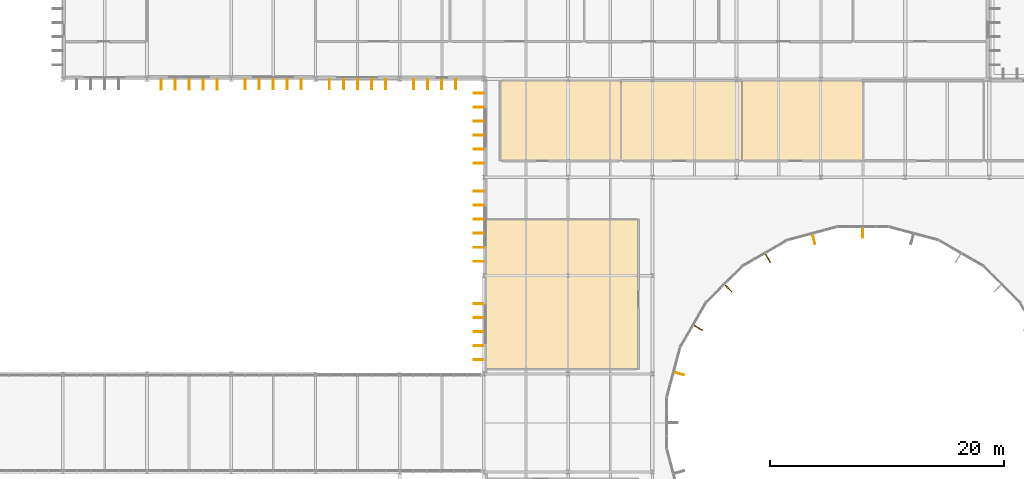
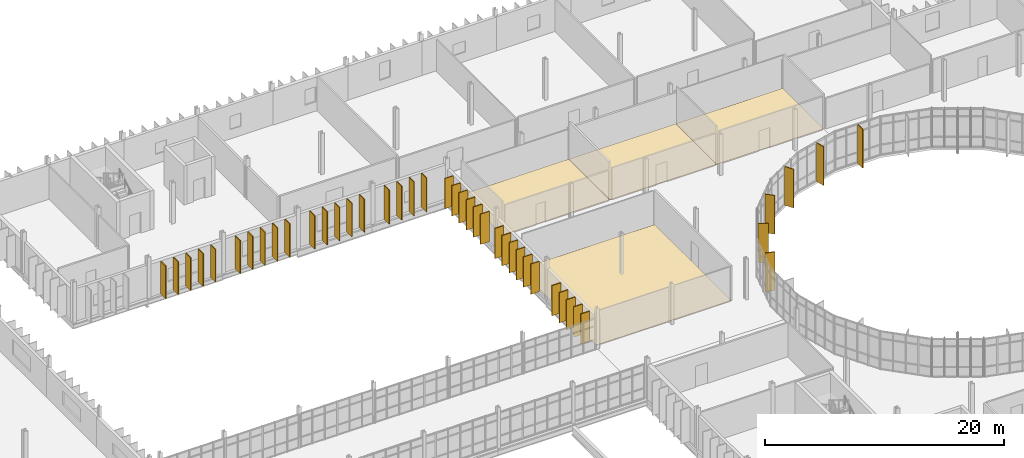
# One storey, part 114 of 119: 42 shading devices, 4 coverings.
"""IFC4 building model written with IfcOpenShell, lengths in metres."""

from ifc_helpers import new_model, si_unit, direction, frame, origin, origin_2d, place, context, subcontext, project, spatial, polyline, rectangle, outline, extrude, material, layer, layer_set, type_object, element, save


model = new_model("IFC4")

# Units and contexts
model_context = context("Model", 3, precision=1e-05, world=origin(), true_north=direction((0.0, 1.0)))
body_context = subcontext(model_context, "Body", "Model", "MODEL_VIEW")
ifc_project = project(units=[si_unit("LENGTHUNIT", "METRE"), si_unit("AREAUNIT", "SQUARE_METRE"), si_unit("VOLUMEUNIT", "CUBIC_METRE"), si_unit("PLANEANGLEUNIT", "RADIAN"), si_unit("MASSUNIT", "GRAM", prefix="KILO")], contexts=[model_context])

# Site, building, storey
site_placement = place(None, origin())
site = spatial("IfcSite", under=ifc_project, at=site_placement, CompositionType="ELEMENT")
building_placement = place(site_placement, origin())
building = spatial("IfcBuilding", under=site, at=building_placement, Name="Qelthora Terrace Specialist Clinic", CompositionType="ELEMENT")
storey_placement = place(building_placement, frame((0.0, 0.0, 4.800048828125)))
storey = spatial("IfcBuildingStorey", under=building, at=storey_placement, Name="L01", CompositionType="ELEMENT", Elevation=4.800048828125)

# Coverings
ifc_material_1 = material(Name="Antimicrobial clinical linoleum flooring", Category="other")
ifc_layer = layer(ifc_material_1, 0.011962890625)
ifc_layer_set = layer_set([ifc_layer], Name="Antimicrobial clinical linoleum flooring")
covering_type = type_object("IfcCoveringType", Name="COV-FLR-LINO-12", PredefinedType="FLOORING", material=ifc_layer_set)
covering_1_placement = place(storey_placement, origin())
element("IfcCovering", 1, at=covering_1_placement, inside=storey, type_object=covering_type, Name="Neurology Examination Suite L01-36 resilient linoleum flooring", PredefinedType="FLOORING", context=body_context, shape_type="SweptSolid", body=[
    extrude(outline(polyline([(95.0, 85.39990234375), (95.0, 92.25), (105.333251953125, 92.25), (105.333251953125, 85.39990234375), (95.0, 85.39990234375)])), origin(), (0.0, 0.0, 1.0), 0.011962890625),
])
covering_2_placement = place(storey_placement, origin())
element("IfcCovering", 2, at=covering_2_placement, inside=storey, type_object=covering_type, Name="EMG and EEG Diagnostics L01-37 resilient linoleum flooring", PredefinedType="FLOORING", context=body_context, shape_type="SweptSolid", body=[
    extrude(outline(polyline([(105.33837890625, 85.39990234375), (105.33837890625, 92.25), (115.666748046875, 92.25), (115.666748046875, 85.39990234375), (105.33837890625, 85.39990234375)])), origin(), (0.0, 0.0, 1.0), 0.011962890625),
])
covering_3_placement = place(storey_placement, origin())
element("IfcCovering", 3, at=covering_3_placement, inside=storey, type_object=covering_type, Name="High-Altitude Pulmonary Lab L01-38 resilient linoleum flooring", PredefinedType="FLOORING", context=body_context, shape_type="SweptSolid", body=[
    extrude(outline(polyline([(115.671630859375, 85.39990234375), (115.671630859375, 92.25), (126.0, 92.25), (126.0, 85.39990234375), (115.671630859375, 85.39990234375)])), origin(), (0.0, 0.0, 1.0), 0.011962890625),
])
covering_4_placement = place(storey_placement, origin())
element("IfcCovering", 4, at=covering_4_placement, inside=storey, type_object=covering_type, Name="Neurology Consulting West Wing L01-41 resilient linoleum flooring", PredefinedType="FLOORING", context=body_context, shape_type="SweptSolid", body=[
    extrude(outline(polyline([(106.800048828125, 80.39990234375), (106.800048828125, 67.60009765625), (93.72998046875, 67.60009765625), (93.72998046875, 80.39990234375), (106.800048828125, 80.39990234375)])), origin(), (0.0, 0.0, 1.0), 0.011962890625),
])

# Shading devices
ifc_material_2 = material(Name="Glulam timber GL28h", Category="wood")
shading_device_type = type_object("IfcShadingDeviceType", Name="SHD-FIN-850", PredefinedType="USERDEFINED", material=ifc_material_2)
for number, where, z_axis, x_axis, name in (
    (5, (126.0, 79.26123046875, 0.0), (0.0, 0.0, 1.0), (0.0, -1.0, 0.0), "Court solar fin FIN-0028"),
    (6, (121.791259765625, 78.707275390625, 0.0), (0.0, 0.0, 1.0), (0.258819045103, -0.965925826289, 0.0), "Court solar fin FIN-0029"),
    (7, (117.869384765625, 77.082763671875, 0.0), (0.0, 0.0, 1.0), (0.5, -0.866025403784, 0.0), "Court solar fin FIN-0030"),
    (8, (114.50146484375, 74.49853515625, 0.0), (0.0, 0.0, 1.0), (0.707106781187, -0.707106781187, 0.0), "Court solar fin FIN-0031"),
    (9, (111.917236328125, 71.130615234375, 0.0), (0.0, 0.0, 1.0), (0.866025403784, -0.5, 0.0), "Court solar fin FIN-0032"),
    (10, (110.292724609375, 67.208740234375, 0.0), (0.0, 0.0, 1.0), (0.965925826289, -0.258819045103, 0.0), "Court solar fin FIN-0033"),
):
    element("IfcShadingDevice", number, at=place(storey_placement, frame(where, z_axis=z_axis, x_axis=x_axis)), inside=storey, type_object=shading_device_type, Name=name, ObjectType="FIN", PredefinedType="USERDEFINED", context=body_context, shape_type="SweptSolid", body=[
        extrude(rectangle(XDim=0.85009765625, YDim=0.080078125, at=origin_2d()), origin(), (0.0, 0.0, 1.0), 3.945068359375),
    ])
for number, where, z_axis, x_axis, name in (
    (11, (93.135009765625, 68.39990234375, 0.0), (0.0, 0.0, 1.0), (-1.0, 0.0, 0.0), "Exterior solar shading fin FIN-0765"),
    (12, (93.135009765625, 69.60009765625, 0.0), (0.0, 0.0, 1.0), (-1.0, 0.0, 0.0), "Exterior solar shading fin FIN-0766"),
    (13, (93.135009765625, 70.800048828125, 0.0), (0.0, 0.0, 1.0), (-1.0, 0.0, 0.0), "Exterior solar shading fin FIN-0767"),
    (14, (93.135009765625, 72.0, 0.0), (0.0, 0.0, 1.0), (-1.0, 0.0, 0.0), "Exterior solar shading fin FIN-0768"),
    (15, (93.135009765625, 73.199951171875, 0.0), (0.0, 0.0, 1.0), (-1.0, 0.0, 0.0), "Exterior solar shading fin FIN-0769"),
    (16, (93.14501953125, 76.800048828125, 0.0), (0.0, 0.0, 1.0), (-1.0, 0.0, 0.0), "Exterior solar shading fin FIN-0770"),
    (17, (93.14501953125, 78.0, 0.0), (0.0, 0.0, 1.0), (-1.0, 0.0, 0.0), "Exterior solar shading fin FIN-0771"),
    (18, (93.14501953125, 79.199951171875, 0.0), (0.0, 0.0, 1.0), (-1.0, 0.0, 0.0), "Exterior solar shading fin FIN-0772"),
    (19, (93.14501953125, 80.39990234375, 0.0), (0.0, 0.0, 1.0), (-1.0, 0.0, 0.0), "Exterior solar shading fin FIN-0773"),
    (20, (93.14501953125, 81.60009765625, 0.0), (0.0, 0.0, 1.0), (-1.0, 0.0, 0.0), "Exterior solar shading fin FIN-0774"),
    (21, (93.14501953125, 82.800048828125, 0.0), (0.0, 0.0, 1.0), (-1.0, 0.0, 0.0), "Exterior solar shading fin FIN-0775"),
    (22, (93.155029296875, 85.199951171875, 0.0), (0.0, 0.0, 1.0), (-1.0, 0.0, 0.0), "Exterior solar shading fin FIN-0776"),
    (23, (93.155029296875, 86.39990234375, 0.0), (0.0, 0.0, 1.0), (-1.0, 0.0, 0.0), "Exterior solar shading fin FIN-0777"),
    (24, (93.155029296875, 87.60009765625, 0.0), (0.0, 0.0, 1.0), (-1.0, 0.0, 0.0), "Exterior solar shading fin FIN-0778"),
    (25, (93.155029296875, 88.800048828125, 0.0), (0.0, 0.0, 1.0), (-1.0, 0.0, 0.0), "Exterior solar shading fin FIN-0779"),
    (26, (93.155029296875, 90.0, 0.0), (0.0, 0.0, 1.0), (-1.0, 0.0, 0.0), "Exterior solar shading fin FIN-0780"),
    (27, (93.155029296875, 91.199951171875, 0.0), (0.0, 0.0, 1.0), (-1.0, 0.0, 0.0), "Exterior solar shading fin FIN-0781"),
):
    element("IfcShadingDevice", number, at=place(storey_placement, frame(where, z_axis=z_axis, x_axis=x_axis)), inside=storey, type_object=shading_device_type, Name=name, ObjectType="FIN", PredefinedType="USERDEFINED", context=body_context, shape_type="SweptSolid", body=[
        extrude(rectangle(XDim=0.85009765625, YDim=0.080078125, at=origin_2d()), origin(), (0.0, 0.0, 1.0), 3.091064453125),
    ])
for number, where, z_axis, x_axis, name in (
    (28, (66.0, 91.905029296875, 0.0), (0.0, 0.0, 1.0), (0.0, -1.0, 0.0), "Exterior solar shading fin FIN-0786"),
    (29, (67.199951171875, 91.905029296875, 0.0), (0.0, 0.0, 1.0), (0.0, -1.0, 0.0), "Exterior solar shading fin FIN-0787"),
    (30, (68.39990234375, 91.905029296875, 0.0), (0.0, 0.0, 1.0), (0.0, -1.0, 0.0), "Exterior solar shading fin FIN-0788"),
    (31, (69.60009765625, 91.905029296875, 0.0), (0.0, 0.0, 1.0), (0.0, -1.0, 0.0), "Exterior solar shading fin FIN-0789"),
    (32, (70.800048828125, 91.905029296875, 0.0), (0.0, 0.0, 1.0), (0.0, -1.0, 0.0), "Exterior solar shading fin FIN-0790"),
):
    element("IfcShadingDevice", number, at=place(storey_placement, frame(where, z_axis=z_axis, x_axis=x_axis)), inside=storey, type_object=shading_device_type, Name=name, ObjectType="FIN", PredefinedType="USERDEFINED", context=body_context, shape_type="SweptSolid", body=[
        extrude(rectangle(XDim=0.85009765625, YDim=0.080078125, at=origin_2d()), origin(), (0.0, 0.0, 1.0), 3.330078125),
    ])
for number, where, z_axis, x_axis, name in (
    (33, (73.199951171875, 91.93505859375, 0.0), (0.0, 0.0, 1.0), (0.0, -1.0, 0.0), "Exterior solar shading fin FIN-0791"),
    (34, (74.39990234375, 91.93505859375, 0.0), (0.0, 0.0, 1.0), (0.0, -1.0, 0.0), "Exterior solar shading fin FIN-0792"),
    (35, (75.60009765625, 91.93505859375, 0.0), (0.0, 0.0, 1.0), (0.0, -1.0, 0.0), "Exterior solar shading fin FIN-0793"),
    (36, (76.800048828125, 91.93505859375, 0.0), (0.0, 0.0, 1.0), (0.0, -1.0, 0.0), "Exterior solar shading fin FIN-0794"),
    (37, (78.0, 91.93505859375, 0.0), (0.0, 0.0, 1.0), (0.0, -1.0, 0.0), "Exterior solar shading fin FIN-0795"),
):
    element("IfcShadingDevice", number, at=place(storey_placement, frame(where, z_axis=z_axis, x_axis=x_axis)), inside=storey, type_object=shading_device_type, Name=name, ObjectType="FIN", PredefinedType="USERDEFINED", context=body_context, shape_type="SweptSolid", body=[
        extrude(rectangle(XDim=0.85009765625, YDim=0.080078125, at=origin_2d()), origin(), (0.0, 0.0, 1.0), 3.39794921875),
    ])
for number, where, z_axis, x_axis, name in (
    (38, (80.39990234375, 91.945068359375, 0.0), (0.0, 0.0, 1.0), (0.0, -1.0, 0.0), "Exterior solar shading fin FIN-0796"),
    (39, (81.60009765625, 91.945068359375, 0.0), (0.0, 0.0, 1.0), (0.0, -1.0, 0.0), "Exterior solar shading fin FIN-0797"),
    (40, (82.800048828125, 91.945068359375, 0.0), (0.0, 0.0, 1.0), (0.0, -1.0, 0.0), "Exterior solar shading fin FIN-0798"),
    (41, (84.0, 91.945068359375, 0.0), (0.0, 0.0, 1.0), (0.0, -1.0, 0.0), "Exterior solar shading fin FIN-0799"),
    (42, (85.199951171875, 91.945068359375, 0.0), (0.0, 0.0, 1.0), (0.0, -1.0, 0.0), "Exterior solar shading fin FIN-0800"),
):
    element("IfcShadingDevice", number, at=place(storey_placement, frame(where, z_axis=z_axis, x_axis=x_axis)), inside=storey, type_object=shading_device_type, Name=name, ObjectType="FIN", PredefinedType="USERDEFINED", context=body_context, shape_type="SweptSolid", body=[
        extrude(rectangle(XDim=0.85009765625, YDim=0.080078125, at=origin_2d()), origin(), (0.0, 0.0, 1.0), 3.405029296875),
    ])
for number, where, z_axis, x_axis, name in (
    (43, (87.60009765625, 91.955078125, 0.0), (0.0, 0.0, 1.0), (0.0, -1.0, 0.0), "Exterior solar shading fin FIN-0801"),
    (44, (88.800048828125, 91.955078125, 0.0), (0.0, 0.0, 1.0), (0.0, -1.0, 0.0), "Exterior solar shading fin FIN-0802"),
    (45, (90.0, 91.955078125, 0.0), (0.0, 0.0, 1.0), (0.0, -1.0, 0.0), "Exterior solar shading fin FIN-0803"),
    (46, (91.199951171875, 91.955078125, 0.0), (0.0, 0.0, 1.0), (0.0, -1.0, 0.0), "Exterior solar shading fin FIN-0804"),
):
    element("IfcShadingDevice", number, at=place(storey_placement, frame(where, z_axis=z_axis, x_axis=x_axis)), inside=storey, type_object=shading_device_type, Name=name, ObjectType="FIN", PredefinedType="USERDEFINED", context=body_context, shape_type="SweptSolid", body=[
        extrude(rectangle(XDim=0.85009765625, YDim=0.080078125, at=origin_2d()), origin(), (0.0, 0.0, 1.0), 3.47607421875),
    ])

save(model, "model.ifc")
